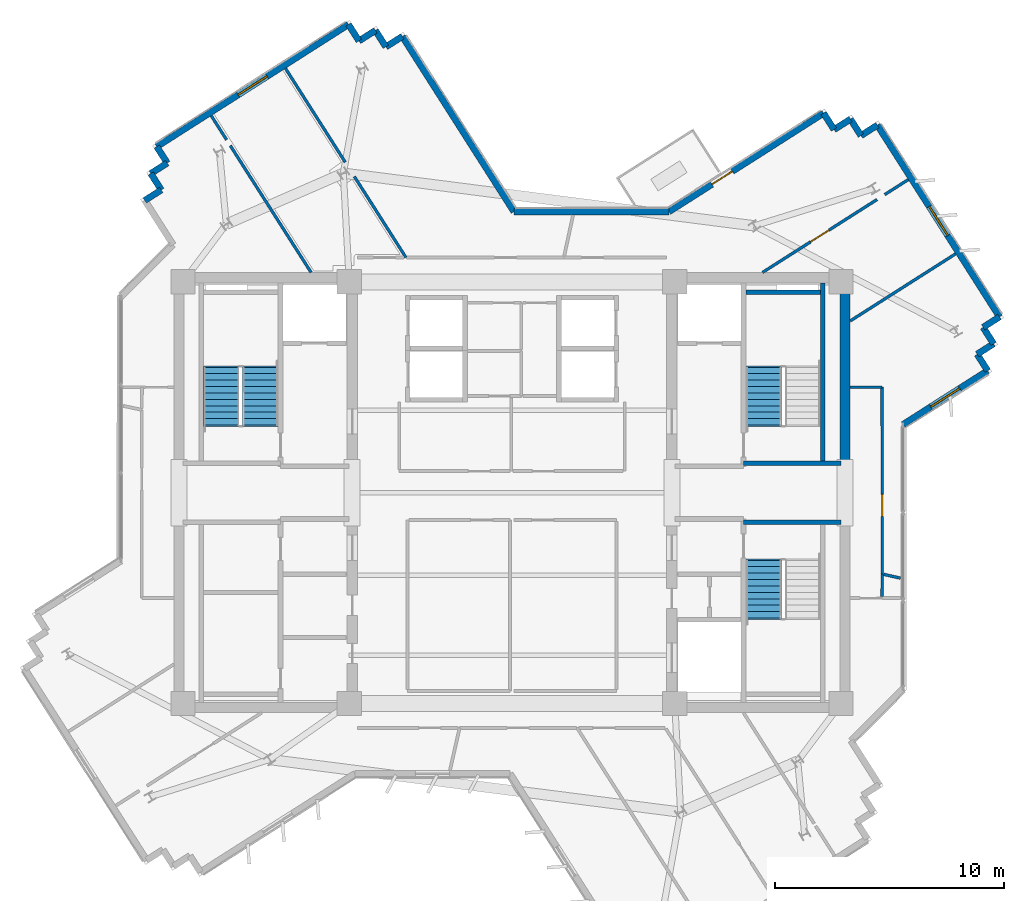
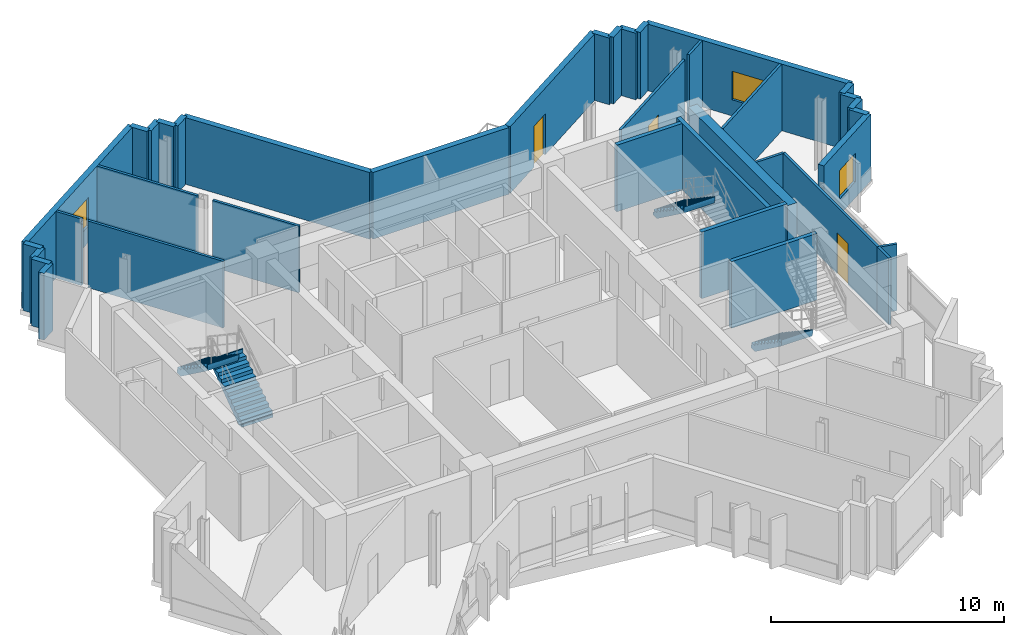
# One storey, part 8 of 12: 38 walls, 4 stair flights, 3 doors, 3 windows, 6 openings, 3 elements without a shape of their own.
"""IFC4 building model written with IfcOpenShell, lengths in metres."""

from ifc_helpers import new_model, si_unit, direction, frame, frame_2d, origin, place, context, subcontext, project, spatial, polyline, rectangle, outline, extrude, source, transform, mapped, material, layer, layer_set, type_object, element, fill, aggregate, save


model = new_model("IFC4")

# Units and contexts
model_context = context("Model", 3, precision=1e-05, world=origin(), true_north=direction((0.0, 1.0)))
body_context = subcontext(model_context, "Body", "Model", "MODEL_VIEW")
ifc_project = project(units=[si_unit("LENGTHUNIT", "METRE"), si_unit("AREAUNIT", "SQUARE_METRE"), si_unit("VOLUMEUNIT", "CUBIC_METRE"), si_unit("PLANEANGLEUNIT", "RADIAN"), si_unit("MASSUNIT", "GRAM", prefix="KILO")], contexts=[model_context])

# Site, building, storey
site_placement = place(None, origin())
site = spatial("IfcSite", under=ifc_project, at=site_placement, CompositionType="ELEMENT")
building_placement = place(site_placement, origin())
building = spatial("IfcBuilding", under=site, at=building_placement, Name="Zahravan Cultural Tower", CompositionType="ELEMENT")
storey_placement = place(building_placement, frame((0.0, 0.0, 269.10009765625)))
storey = spatial("IfcBuildingStorey", under=building, at=storey_placement, Name="L64", CompositionType="ELEMENT", Elevation=269.10009765625)

# Wall, opening, door
ifc_material_1 = material(Name="Precast concrete C40/50", Category="concrete")
ifc_layer_1 = layer(ifc_material_1, 0.280029296875)
ifc_layer_set_1 = layer_set([ifc_layer_1], Name="Precast concrete C40/50")
wall_type_1 = type_object("IfcWallType", Name="EW-TC-280", PredefinedType="SOLIDWALL", material=ifc_layer_set_1)
wall_1_placement = place(storey_placement, frame((42.84912109375, 39.260009765625, 0.0), z_axis=(0.0, 0.0, 1.0), x_axis=(0.843388565396, 0.537304129669, 0.0)))
wall_1 = element("IfcWall", 1, at=wall_1_placement, inside=storey, type_object=wall_type_1, Name="L64 Exterior Masonry Frame Wall 01", PredefinedType="SOLIDWALL", context=body_context, shape_type="SweptSolid", body=[
    extrude(rectangle(XDim=7.99609375, YDim=0.280029296875, at=frame_2d((3.998046875, 0.0))), origin(), (0.0, 0.0, 1.0), 3.5),
])
opening_1_placement = place(wall_1_placement, frame((2.222900390625, 0.0, 0.0)))
opening_1 = element("IfcOpeningElement", 2, at=opening_1_placement, cuts=wall_1, Name="Opening D-L64-TR-NE", PredefinedType="OPENING", context=body_context, shape_type="SweptSolid", body=[
    extrude(rectangle(XDim=1.050048828125, YDim=2.14990234375, at=frame_2d((0.52490234375, 1.074951171875))), frame((0.0, 0.14990234375, 0.0), z_axis=(0.0, -1.0, 0.0), x_axis=(1.0, 0.0, 0.0)), (0.0, 0.0, 1.0), 0.300048828125),
])
ifc_material_2 = material(Name="Anodised bronze-aluminium mullion", Category="aluminium")
door_type_1 = type_object("IfcDoorType", Name="DR-TERR-1050", OperationType="NOTDEFINED", PredefinedType="DOOR", material=ifc_material_2)
shared_shape_1 = source(origin(), body_context, "Body", "SweptSolid", [
    extrude(rectangle(XDim=1.050048828125, YDim=2.14990234375, at=frame_2d((0.52490234375, 1.074951171875))), frame((0.0, 0.02490234375, 0.0), z_axis=(0.0, -1.0, 0.0), x_axis=(1.0, 0.0, 0.0)), (0.0, 0.0, 1.0), 0.050048828125),
])
door_1_placement = place(opening_1_placement, origin())
door_1 = element("IfcDoor", 3, at=door_1_placement, inside=storey, type_object=door_type_1, Name="L64 Terrace Access Door NE", OperationType="SINGLE_SWING_LEFT", OverallHeight=2.14990234375, OverallWidth=1.050048828125, PredefinedType="DOOR", context=body_context, shape_type="MappedRepresentation", body=[
    mapped(shared_shape_1, transform((0.0, 0.0, 0.0), x_axis=(1.0, 0.0, 0.0), y_axis=(0.0, 1.0, 0.0), z_axis=(0.0, 0.0, 1.0), scale=1.0)),
])
fill(opening_1, door_1)

# Wall, opening, window
wall_2_placement = place(storey_placement, frame((51.940185546875, 43.035888671875, 0.0), z_axis=(0.0, 0.0, 1.0), x_axis=(0.537314949054, -0.843381672508, 0.0)))
wall_2 = element("IfcWall", 4, at=wall_2_placement, inside=storey, type_object=wall_type_1, Name="L64 Exterior Masonry Frame Wall 06", PredefinedType="SOLIDWALL", context=body_context, shape_type="SweptSolid", body=[
    extrude(rectangle(XDim=9.919921875, YDim=0.280029296875, at=frame_2d((4.9599609375, 0.0))), origin(), (0.0, 0.0, 1.0), 3.5),
])
opening_2_placement = place(wall_2_placement, frame((4.2099609375, 0.0, 0.85009765625)))
opening_2 = element("IfcOpeningElement", 5, at=opening_2_placement, cuts=wall_2, Name="Opening WN-03", PredefinedType="OPENING", context=body_context, shape_type="SweptSolid", body=[
    extrude(rectangle(XDim=1.5, YDim=1.5, at=frame_2d((0.75, 0.75))), frame((0.0, 0.14990234375, 0.0), z_axis=(0.0, -1.0, 0.0), x_axis=(1.0, 0.0, 0.0)), (0.0, 0.0, 1.0), 0.300048828125),
])
ifc_material_3 = material(Name="Low-E solar-control double glazing", Category="glass")
window_type = type_object("IfcWindowType", Name="WN-REC-1500X1500", PartitioningType="SINGLE_PANEL", PredefinedType="WINDOW", material=ifc_material_3)
shared_shape_2 = source(origin(), body_context, "Body", "SweptSolid", [
    extrude(rectangle(XDim=1.5, YDim=1.5, at=frame_2d((0.75, 0.75))), frame((0.0, 0.030029296875, 0.0), z_axis=(0.0, -1.0, 0.0), x_axis=(1.0, 0.0, 0.0)), (0.0, 0.0, 1.0), 0.06005859375),
])
window_1_placement = place(opening_2_placement, origin())
window_1 = element("IfcWindow", 6, at=window_1_placement, inside=storey, type_object=window_type, Name="L64 Recessed Solar Window 01", OverallHeight=1.5, OverallWidth=1.5, PartitioningType="SINGLE_PANEL", PredefinedType="WINDOW", context=body_context, shape_type="MappedRepresentation", body=[
    mapped(shared_shape_2, transform((0.0, 0.0, 0.0), x_axis=(1.0, 0.0, 0.0), y_axis=(0.0, 1.0, 0.0), z_axis=(0.0, 0.0, 1.0), scale=1.0)),
])
fill(opening_2, window_1)

wall_3_placement = place(storey_placement, frame((56.75, 32.322509765625, 0.0), z_axis=(0.0, 0.0, 1.0), x_axis=(-0.843383352012, -0.537312312857, 0.0)))
wall_3 = element("IfcWall", 7, at=wall_3_placement, inside=storey, type_object=wall_type_1, Name="L64 Exterior Masonry Frame Wall 11", PredefinedType="SOLIDWALL", context=body_context, shape_type="SweptSolid", body=[
    extrude(rectangle(XDim=4.375244140625, YDim=0.280029296875, at=frame_2d((2.1875, 0.0))), origin(), (0.0, 0.0, 1.0), 3.5),
])
opening_3_placement = place(wall_3_placement, frame((1.43798828125, 0.0, 0.85009765625)))
opening_3 = element("IfcOpeningElement", 8, at=opening_3_placement, cuts=wall_3, Name="Opening WN-03", PredefinedType="OPENING", context=body_context, shape_type="SweptSolid", body=[
    extrude(rectangle(XDim=1.5, YDim=1.5, at=frame_2d((0.75, 0.75))), frame((0.0, 0.14990234375, 0.0), z_axis=(0.0, -1.0, 0.0), x_axis=(1.0, 0.0, 0.0)), (0.0, 0.0, 1.0), 0.300048828125),
])
window_2_placement = place(opening_3_placement, origin())
window_2 = element("IfcWindow", 9, at=window_2_placement, inside=storey, type_object=window_type, Name="L64 Recessed Solar Window 02", OverallHeight=1.5, OverallWidth=1.5, PartitioningType="SINGLE_PANEL", PredefinedType="WINDOW", context=body_context, shape_type="MappedRepresentation", body=[
    mapped(shared_shape_2, transform((0.0, 0.0, 0.0), x_axis=(1.0, 0.0, 0.0), y_axis=(0.0, 1.0, 0.0), z_axis=(0.0, 0.0, 1.0), scale=1.0)),
])
fill(opening_3, window_2)

wall_4_placement = place(storey_placement, frame((20.501220703125, 42.0966796875, 0.0), z_axis=(0.0, 0.0, 1.0), x_axis=(0.843388777764, 0.537303796322, 0.0)))
wall_4 = element("IfcWall", 10, at=wall_4_placement, inside=storey, type_object=wall_type_1, Name="L64 Exterior Masonry Frame Wall 42", PredefinedType="SOLIDWALL", context=body_context, shape_type="SweptSolid", body=[
    extrude(rectangle(XDim=9.920166015625, YDim=0.280029296875, at=frame_2d((4.9599609375, 0.0))), origin(), (0.0, 0.0, 1.0), 3.5),
])
opening_4_placement = place(wall_4_placement, frame((4.2099609375, 0.0, 0.85009765625)))
opening_4 = element("IfcOpeningElement", 11, at=opening_4_placement, cuts=wall_4, Name="Opening WN-03", PredefinedType="OPENING", context=body_context, shape_type="SweptSolid", body=[
    extrude(rectangle(XDim=1.5, YDim=1.5, at=frame_2d((0.75, 0.75))), frame((0.0, 0.14990234375, 0.0), z_axis=(0.0, -1.0, 0.0), x_axis=(1.0, 0.0, 0.0)), (0.0, 0.0, 1.0), 0.300048828125),
])
window_3_placement = place(opening_4_placement, origin())
window_3 = element("IfcWindow", 12, at=window_3_placement, inside=storey, type_object=window_type, Name="L64 Recessed Solar Window 08", OverallHeight=1.5, OverallWidth=1.5, PartitioningType="SINGLE_PANEL", PredefinedType="WINDOW", context=body_context, shape_type="MappedRepresentation", body=[
    mapped(shared_shape_2, transform((0.0, 0.0, 0.0), x_axis=(1.0, 0.0, 0.0), y_axis=(0.0, 1.0, 0.0), z_axis=(0.0, 0.0, 1.0), scale=1.0)),
])
fill(opening_4, window_3)

# Wall, opening, door
ifc_material_4 = material(Name="Gypsum plasterboard partition")
ifc_layer_2 = layer(ifc_material_4, 0.125)
ifc_layer_set_2 = layer_set([ifc_layer_2], Name="Gypsum plasterboard partition")
wall_type_2 = type_object("IfcWallType", Name="W-PART-125", PredefinedType="PARTITIONING", material=ifc_layer_set_2)
wall_5_placement = place(storey_placement, frame((46.926513671875, 36.60498046875, 0.0), z_axis=(0.0, 0.0, 1.0), x_axis=(0.843398332862, 0.537288797693, 0.0)))
wall_5 = element("IfcWall", 13, at=wall_5_placement, inside=storey, type_object=wall_type_2, Name="L64 Interior Wall 055", PredefinedType="PARTITIONING", context=body_context, shape_type="SweptSolid", body=[
    extrude(rectangle(XDim=5.923583984375, YDim=0.125, at=frame_2d((2.9619140625, 0.0))), origin(), (0.0, 0.0, 1.0), 3.5),
])
opening_5_placement = place(wall_5_placement, frame((2.48681640625, 0.0, 0.0)))
opening_5 = element("IfcOpeningElement", 14, at=opening_5_placement, cuts=wall_5, Name="Opening D-L64-31", PredefinedType="OPENING", context=body_context, shape_type="SweptSolid", body=[
    extrude(rectangle(XDim=0.949951171875, YDim=2.14990234375, at=frame_2d((0.47509765625, 1.074951171875))), frame((0.0, 0.072509765625, 0.0), z_axis=(0.0, -1.0, 0.0), x_axis=(1.0, 0.0, 0.0)), (0.0, 0.0, 1.0), 0.14501953125),
])
door_type_2 = type_object("IfcDoorType", Name="DR-ROOM-950", OperationType="NOTDEFINED", PredefinedType="DOOR", material=ifc_material_2)
shared_shape_3 = source(origin(), body_context, "Body", "SweptSolid", [
    extrude(rectangle(XDim=0.949951171875, YDim=2.14990234375, at=frame_2d((0.47509765625, 1.074951171875))), frame((0.0, 0.02490234375, 0.0), z_axis=(0.0, -1.0, 0.0), x_axis=(1.0, 0.0, 0.0)), (0.0, 0.0, 1.0), 0.050048828125),
])
door_2_placement = place(opening_5_placement, origin())
door_2 = element("IfcDoor", 15, at=door_2_placement, inside=storey, type_object=door_type_2, Name="L64 Door D-L64-31", OperationType="SINGLE_SWING_LEFT", OverallHeight=2.14990234375, OverallWidth=0.949951171875, PredefinedType="DOOR", context=body_context, shape_type="MappedRepresentation", body=[
    mapped(shared_shape_3, transform((0.0, 0.0, 0.0), x_axis=(1.0, 0.0, 0.0), y_axis=(0.0, 1.0, 0.0), z_axis=(0.0, 0.0, 1.0), scale=1.0)),
])
fill(opening_5, door_2)

wall_6_placement = place(storey_placement, frame((52.14990234375, 23.450927734375, 0.0), z_axis=(0.0, 0.0, 1.0), x_axis=(-0.000119850186, 0.999999992818, 0.0)))
wall_6 = element("IfcWall", 16, at=wall_6_placement, inside=storey, type_object=wall_type_2, Name="L64 Interior Wall 086", PredefinedType="PARTITIONING", context=body_context, shape_type="SweptSolid", body=[
    extrude(rectangle(XDim=8.148193359375, YDim=0.125, at=frame_2d((4.07421875, 0.0))), origin(), (0.0, 0.0, 1.0), 3.5),
])
opening_6_placement = place(wall_6_placement, frame((2.519287109375, 0.0, 0.0)))
opening_6 = element("IfcOpeningElement", 17, at=opening_6_placement, cuts=wall_6, Name="Opening D-L64-20", PredefinedType="OPENING", context=body_context, shape_type="SweptSolid", body=[
    extrude(rectangle(XDim=0.949951171875, YDim=2.14990234375, at=frame_2d((0.47509765625, 1.074951171875))), frame((0.0, 0.072509765625, 0.0), z_axis=(0.0, -1.0, 0.0), x_axis=(1.0, 0.0, 0.0)), (0.0, 0.0, 1.0), 0.14501953125),
])
door_3_placement = place(opening_6_placement, origin())
door_3 = element("IfcDoor", 18, at=door_3_placement, inside=storey, type_object=door_type_2, Name="L64 Door D-L64-20", OperationType="SINGLE_SWING_RIGHT", OverallHeight=2.14990234375, OverallWidth=0.949951171875, PredefinedType="DOOR", context=body_context, shape_type="MappedRepresentation", body=[
    mapped(shared_shape_3, transform((0.0, 0.0, 0.0), x_axis=(1.0, 0.0, 0.0), y_axis=(0.0, 1.0, 0.0), z_axis=(0.0, 0.0, 1.0), scale=1.0)),
])
fill(opening_6, door_3)

# Walls
ifc_material_5 = material(Name="Concrete C50/60", Category="concrete")
ifc_layer_3 = layer(ifc_material_5, 0.449951171875)
ifc_layer_set_3 = layer_set([ifc_layer_3], Name="Concrete C50/60")
wall_type_3 = type_object("IfcWallType", Name="CW-SHEAR-450-C50", PredefinedType="SHEAR", material=ifc_layer_set_3)
shared_shape_4 = source(origin(), body_context, "Body", "SweptSolid", [
    extrude(rectangle(XDim=8.550048828125, YDim=0.449951171875, at=frame_2d((4.27490234375, 0.0))), origin(), (0.0, 0.0, 1.0), 3.5),
])
wall_7_placement = place(storey_placement, frame((50.52490234375, 28.050048828125, 0.0), z_axis=(0.0, 0.0, 1.0), x_axis=(0.0, 1.0, 0.0)))
element("IfcWall", 19, at=wall_7_placement, inside=storey, type_object=wall_type_3, Name="L64 Core Shear Wall CW-E-EN-L64", PredefinedType="SHEAR", context=body_context, shape_type="MappedRepresentation", body=[
    mapped(shared_shape_4, transform((0.0, 0.0, 0.0), x_axis=(1.0, 0.0, 0.0), y_axis=(0.0, 1.0, 0.0), z_axis=(0.0, 0.0, 1.0), scale=1.0)),
])
shared_shape_5 = source(origin(), body_context, "Body", "SweptSolid", [
    extrude(rectangle(XDim=0.85009765625, YDim=0.280029296875, at=frame_2d((0.425048828125, 0.0))), origin(), (0.0, 0.0, 1.0), 3.5),
])
for number, where, z_axis, x_axis, name in (
    (20, (57.270263671875, 34.669677734375, 0.0), (0.0, 0.0, 1.0), (-0.843401251716, -0.537284215853, 0.0), "L64 Exterior Masonry Frame Wall 07"),
    (21, (29.32421875, 46.7099609375, 0.0), (0.0, 0.0, 1.0), (0.843531374408, 0.537079901308, 0.0), "L64 Exterior Masonry Frame Wall 44"),
):
    element("IfcWall", number, at=place(storey_placement, frame(where, z_axis=z_axis, x_axis=x_axis)), inside=storey, type_object=wall_type_1, Name=name, PredefinedType="SOLIDWALL", context=body_context, shape_type="MappedRepresentation", body=[
        mapped(shared_shape_5, transform((0.0, 0.0, 0.0), x_axis=(1.0, 0.0, 0.0), y_axis=(0.0, 1.0, 0.0), z_axis=(0.0, 0.0, 1.0), scale=1.0)),
    ])
shared_shape_6 = source(origin(), body_context, "Body", "SweptSolid", [
    extrude(rectangle(XDim=0.849853515625, YDim=0.280029296875, at=frame_2d((0.4248046875, 0.0))), origin(), (0.0, 0.0, 1.0), 3.5),
])
for number, where, z_axis, x_axis, name in (
    (22, (49.593017578125, 43.556396484375, 0.0), (0.0, 0.0, 1.0), (0.537414368337, -0.843318324659, 0.0), "L64 Exterior Masonry Frame Wall 02"),
    (23, (50.0498046875, 42.839599609375, 0.0), (0.0, 0.0, 1.0), (0.843448497615, 0.537210044462, 0.0), "L64 Exterior Masonry Frame Wall 03"),
    (24, (50.7666015625, 43.296142578125, 0.0), (0.0, 0.0, 1.0), (0.537414368337, -0.843318324659, 0.0), "L64 Exterior Masonry Frame Wall 04"),
    (25, (51.223388671875, 42.579345703125, 0.0), (0.0, 0.0, 1.0), (0.843448497615, 0.537210044462, 0.0), "L64 Exterior Masonry Frame Wall 05"),
    (26, (56.55322265625, 34.212890625, 0.0), (0.0, 0.0, 1.0), (0.537414368337, -0.843318324659, 0.0), "L64 Exterior Masonry Frame Wall 08"),
    (27, (57.010009765625, 33.49609375, 0.0), (0.0, 0.0, 1.0), (-0.843318324659, -0.537414368337, 0.0), "L64 Exterior Masonry Frame Wall 09"),
    (28, (56.293212890625, 33.039306640625, 0.0), (0.0, 0.0, 1.0), (0.537414368337, -0.843318324659, 0.0), "L64 Exterior Masonry Frame Wall 10"),
    (29, (19.98095703125, 39.74951171875, 0.0), (0.0, 0.0, 1.0), (0.843318324659, 0.537414368337, 0.0), "L64 Exterior Masonry Frame Wall 38"),
    (30, (20.69775390625, 40.206298828125, 0.0), (0.0, 0.0, 1.0), (-0.537210044462, 0.843448497615, 0.0), "L64 Exterior Masonry Frame Wall 39"),
    (31, (20.2412109375, 40.923095703125, 0.0), (0.0, 0.0, 1.0), (0.843318324659, 0.537414368337, 0.0), "L64 Exterior Masonry Frame Wall 40"),
    (32, (20.9580078125, 41.3798828125, 0.0), (0.0, 0.0, 1.0), (-0.537414368337, 0.843318324659, 0.0), "L64 Exterior Masonry Frame Wall 41"),
    (33, (28.86767578125, 47.4267578125, 0.0), (0.0, 0.0, 1.0), (0.537210044462, -0.843448497615, 0.0), "L64 Exterior Masonry Frame Wall 43"),
    (34, (30.041259765625, 47.16650390625, 0.0), (0.0, 0.0, 1.0), (0.537414368337, -0.843318324659, 0.0), "L64 Exterior Masonry Frame Wall 45"),
    (35, (30.498046875, 46.44970703125, 0.0), (0.0, 0.0, 1.0), (0.843318324659, 0.537414368337, 0.0), "L64 Exterior Masonry Frame Wall 46"),
):
    element("IfcWall", number, at=place(storey_placement, frame(where, z_axis=z_axis, x_axis=x_axis)), inside=storey, type_object=wall_type_1, Name=name, PredefinedType="SOLIDWALL", context=body_context, shape_type="MappedRepresentation", body=[
        mapped(shared_shape_6, transform((0.0, 0.0, 0.0), x_axis=(1.0, 0.0, 0.0), y_axis=(0.0, 1.0, 0.0), z_axis=(0.0, 0.0, 1.0), scale=1.0)),
    ])
shared_shape_7 = source(origin(), body_context, "Body", "SweptSolid", [
    extrude(rectangle(XDim=9.06640625, YDim=0.280029296875, at=frame_2d((4.533203125, 0.0))), origin(), (0.0, 0.0, 1.0), 3.5),
])
wall_8_placement = place(storey_placement, frame((31.21484375, 46.906494140625, 0.0), z_axis=(0.0, 0.0, 1.0), x_axis=(0.537298831286, -0.843391940855, 0.0)))
element("IfcWall", 36, at=wall_8_placement, inside=storey, type_object=wall_type_1, Name="L64 Exterior Masonry Frame Wall 47", PredefinedType="SOLIDWALL", context=body_context, shape_type="MappedRepresentation", body=[
    mapped(shared_shape_7, transform((0.0, 0.0, 0.0), x_axis=(1.0, 0.0, 0.0), y_axis=(0.0, 1.0, 0.0), z_axis=(0.0, 0.0, 1.0), scale=1.0)),
])
shared_shape_8 = source(origin(), body_context, "Body", "SweptSolid", [
    extrude(rectangle(XDim=6.762939453125, YDim=0.280029296875, at=frame_2d((3.38134765625, 0.0))), origin(), (0.0, 0.0, 1.0), 3.5),
])
wall_9_placement = place(storey_placement, frame((36.086181640625, 39.260009765625, 0.0), z_axis=(0.0, 0.0, 1.0), x_axis=(1.0, 0.0, 0.0)))
element("IfcWall", 37, at=wall_9_placement, inside=storey, type_object=wall_type_1, Name="L64 Exterior Masonry Frame Wall 48", PredefinedType="SOLIDWALL", context=body_context, shape_type="MappedRepresentation", body=[
    mapped(shared_shape_8, transform((0.0, 0.0, 0.0), x_axis=(1.0, 0.0, 0.0), y_axis=(0.0, 1.0, 0.0), z_axis=(0.0, 0.0, 1.0), scale=1.0)),
])
ifc_material_6 = material(Name="Concrete C45/55", Category="concrete")
ifc_layer_4 = layer(ifc_material_6, 0.199951171875)
ifc_layer_set_4 = layer_set([ifc_layer_4], Name="Concrete C45/55")
wall_type_4 = type_object("IfcWallType", Name="W-SHAFT-200", PredefinedType="SOLIDWALL", material=ifc_layer_set_4)
shared_shape_9 = source(origin(), body_context, "Body", "SweptSolid", [
    extrude(rectangle(XDim=7.869873046875, YDim=0.199951171875, at=frame_2d((3.93505859375, 0.0))), origin(), (0.0, 0.0, 1.0), 3.5),
])
wall_10_placement = place(storey_placement, frame((49.550048828125, 28.280029296875, 0.0), z_axis=(0.0, 0.0, 1.0), x_axis=(0.0, 1.0, 0.0)))
element("IfcWall", 38, at=wall_10_placement, inside=storey, type_object=wall_type_4, Name="L64 Interior Wall 004", PredefinedType="SOLIDWALL", context=body_context, shape_type="MappedRepresentation", body=[
    mapped(shared_shape_9, transform((0.0, 0.0, 0.0), x_axis=(1.0, 0.0, 0.0), y_axis=(0.0, 1.0, 0.0), z_axis=(0.0, 0.0, 1.0), scale=1.0)),
])
shared_shape_10 = source(origin(), body_context, "Body", "SweptSolid", [
    extrude(rectangle(XDim=4.25, YDim=0.199951171875, at=frame_2d((2.125, 0.0))), origin(), (0.0, 0.0, 1.0), 3.5),
])
for number, where, z_axis, x_axis, name in (
    (39, (46.10009765625, 25.715087890625, 0.0), (0.0, 0.0, 1.0), (1.0, 0.0, 0.0), "L64 Interior Wall 014"),
    (40, (46.10009765625, 28.284912109375, 0.0), (0.0, 0.0, 1.0), (1.0, 0.0, 0.0), "L64 Interior Wall 016"),
):
    element("IfcWall", number, at=place(storey_placement, frame(where, z_axis=z_axis, x_axis=x_axis)), inside=storey, type_object=wall_type_4, Name=name, PredefinedType="SOLIDWALL", context=body_context, shape_type="MappedRepresentation", body=[
        mapped(shared_shape_10, transform((0.0, 0.0, 0.0), x_axis=(1.0, 0.0, 0.0), y_axis=(0.0, 1.0, 0.0), z_axis=(0.0, 0.0, 1.0), scale=1.0)),
    ])
shared_shape_11 = source(origin(), body_context, "Body", "SweptSolid", [
    extrude(rectangle(XDim=3.25, YDim=0.199951171875, at=frame_2d((1.625, 0.0))), origin(), (0.0, 0.0, 1.0), 3.5),
])
wall_11_placement = place(storey_placement, frame((46.199951171875, 35.75, 0.0), z_axis=(0.0, 0.0, 1.0), x_axis=(1.0, 0.0, 0.0)))
element("IfcWall", 41, at=wall_11_placement, inside=storey, type_object=wall_type_4, Name="L64 Interior Wall 018", PredefinedType="SOLIDWALL", context=body_context, shape_type="MappedRepresentation", body=[
    mapped(shared_shape_11, transform((0.0, 0.0, 0.0), x_axis=(1.0, 0.0, 0.0), y_axis=(0.0, 1.0, 0.0), z_axis=(0.0, 0.0, 1.0), scale=1.0)),
])
shared_shape_12 = source(origin(), body_context, "Body", "SweptSolid", [
    extrude(rectangle(XDim=1.214599609375, YDim=0.125, at=frame_2d((0.607421875, 0.0))), origin(), (0.0, 0.0, 1.0), 3.5),
])
wall_12_placement = place(storey_placement, frame((52.26025390625, 40.0029296875, 0.0), z_axis=(0.0, 0.0, 1.0), x_axis=(0.84340481812, 0.537278617453, 0.0)))
element("IfcWall", 42, at=wall_12_placement, inside=storey, type_object=wall_type_2, Name="L64 Interior Wall 056", PredefinedType="PARTITIONING", context=body_context, shape_type="MappedRepresentation", body=[
    mapped(shared_shape_12, transform((0.0, 0.0, 0.0), x_axis=(1.0, 0.0, 0.0), y_axis=(0.0, 1.0, 0.0), z_axis=(0.0, 0.0, 1.0), scale=1.0)),
])
shared_shape_13 = source(origin(), body_context, "Body", "SweptSolid", [
    extrude(rectangle(XDim=5.44580078125, YDim=0.125, at=frame_2d((2.722900390625, 0.0))), origin(), (0.0, 0.0, 1.0), 3.5),
])
wall_13_placement = place(storey_placement, frame((55.347900390625, 37.4169921875, 0.0), z_axis=(0.0, 0.0, 1.0), x_axis=(-0.843395566027, -0.537293140851, 0.0)))
element("IfcWall", 43, at=wall_13_placement, inside=storey, type_object=wall_type_2, Name="L64 Interior Wall 057", PredefinedType="PARTITIONING", context=body_context, shape_type="MappedRepresentation", body=[
    mapped(shared_shape_13, transform((0.0, 0.0, 0.0), x_axis=(1.0, 0.0, 0.0), y_axis=(0.0, 1.0, 0.0), z_axis=(0.0, 0.0, 1.0), scale=1.0)),
])
shared_shape_14 = source(origin(), body_context, "Body", "SweptSolid", [
    extrude(rectangle(XDim=0.981201171875, YDim=0.125, at=frame_2d((0.49072265625, 0.0))), origin(), (0.0, 0.0, 1.0), 3.5),
])
wall_14_placement = place(storey_placement, frame((52.148681640625, 22.4697265625, 0.0), z_axis=(0.0, 0.0, 1.0), x_axis=(0.001244089607, 0.99999922612, 0.0)))
element("IfcWall", 44, at=wall_14_placement, inside=storey, type_object=wall_type_2, Name="L64 Interior Wall 067", PredefinedType="PARTITIONING", context=body_context, shape_type="MappedRepresentation", body=[
    mapped(shared_shape_14, transform((0.0, 0.0, 0.0), x_axis=(1.0, 0.0, 0.0), y_axis=(0.0, 1.0, 0.0), z_axis=(0.0, 0.0, 1.0), scale=1.0)),
])
shared_shape_15 = source(origin(), body_context, "Body", "SweptSolid", [
    extrude(rectangle(XDim=0.745849609375, YDim=0.125, at=frame_2d((0.373046875, 0.0))), origin(), (0.0, 0.0, 1.0), 3.5),
])
wall_15_placement = place(storey_placement, frame((52.217529296875, 23.435791015625, 0.0), z_axis=(0.0, 0.0, 1.0), x_axis=(0.975574688732, -0.219667991993, 0.0)))
element("IfcWall", 45, at=wall_15_placement, inside=storey, type_object=wall_type_2, Name="L64 Interior Wall 068", PredefinedType="PARTITIONING", context=body_context, shape_type="MappedRepresentation", body=[
    mapped(shared_shape_15, transform((0.0, 0.0, 0.0), x_axis=(1.0, 0.0, 0.0), y_axis=(0.0, 1.0, 0.0), z_axis=(0.0, 0.0, 1.0), scale=1.0)),
])
shared_shape_16 = source(origin(), body_context, "Body", "SweptSolid", [
    extrude(rectangle(XDim=4.1875, YDim=0.125, at=frame_2d((2.09375, 0.0))), origin(), (0.0, 0.0, 1.0), 3.5),
])
wall_16_placement = place(storey_placement, frame((29.122802734375, 40.791748046875, 0.0), z_axis=(0.0, 0.0, 1.0), x_axis=(0.537264008944, -0.843414124078, 0.0)))
element("IfcWall", 46, at=wall_16_placement, inside=storey, type_object=wall_type_2, Name="L64 Interior Wall 076", PredefinedType="PARTITIONING", context=body_context, shape_type="MappedRepresentation", body=[
    mapped(shared_shape_16, transform((0.0, 0.0, 0.0), x_axis=(1.0, 0.0, 0.0), y_axis=(0.0, 1.0, 0.0), z_axis=(0.0, 0.0, 1.0), scale=1.0)),
])
shared_shape_17 = source(origin(), body_context, "Body", "SweptSolid", [
    extrude(rectangle(XDim=6.559814453125, YDim=0.125, at=frame_2d((3.27978515625, 0.0))), origin(), (0.0, 0.0, 1.0), 3.5),
])
wall_17_placement = place(storey_placement, frame((27.23681640625, 36.60498046875, 0.0), z_axis=(0.0, 0.0, 1.0), x_axis=(-0.537282422054, 0.843402394443, 0.0)))
element("IfcWall", 47, at=wall_17_placement, inside=storey, type_object=wall_type_2, Name="L64 Interior Wall 078", PredefinedType="PARTITIONING", context=body_context, shape_type="MappedRepresentation", body=[
    mapped(shared_shape_17, transform((0.0, 0.0, 0.0), x_axis=(1.0, 0.0, 0.0), y_axis=(0.0, 1.0, 0.0), z_axis=(0.0, 0.0, 1.0), scale=1.0)),
])
shared_shape_18 = source(origin(), body_context, "Body", "SweptSolid", [
    extrude(rectangle(XDim=1.241455078125, YDim=0.125, at=frame_2d((0.62060546875, 0.0))), origin(), (0.0, 0.0, 1.0), 3.5),
])
wall_18_placement = place(storey_placement, frame((23.548583984375, 42.394287109375, 0.0), z_axis=(0.0, 0.0, 1.0), x_axis=(-0.537244446477, 0.843426585264, 0.0)))
element("IfcWall", 48, at=wall_18_placement, inside=storey, type_object=wall_type_2, Name="L64 Interior Wall 079", PredefinedType="PARTITIONING", context=body_context, shape_type="MappedRepresentation", body=[
    mapped(shared_shape_18, transform((0.0, 0.0, 0.0), x_axis=(1.0, 0.0, 0.0), y_axis=(0.0, 1.0, 0.0), z_axis=(0.0, 0.0, 1.0), scale=1.0)),
])
shared_shape_19 = source(origin(), body_context, "Body", "SweptSolid", [
    extrude(rectangle(XDim=4.846435546875, YDim=0.125, at=frame_2d((2.42333984375, 0.0))), origin(), (0.0, 0.0, 1.0), 3.5),
])
wall_19_placement = place(storey_placement, frame((26.1201171875, 45.504638671875, 0.0), z_axis=(0.0, 0.0, 1.0), x_axis=(0.537305688893, -0.843387572047, 0.0)))
element("IfcWall", 49, at=wall_19_placement, inside=storey, type_object=wall_type_2, Name="L64 Interior Wall 080", PredefinedType="PARTITIONING", context=body_context, shape_type="MappedRepresentation", body=[
    mapped(shared_shape_19, transform((0.0, 0.0, 0.0), x_axis=(1.0, 0.0, 0.0), y_axis=(0.0, 1.0, 0.0), z_axis=(0.0, 0.0, 1.0), scale=1.0)),
])
shared_shape_20 = source(origin(), body_context, "Body", "SweptSolid", [
    extrude(rectangle(XDim=1.39404296875, YDim=0.125, at=frame_2d((0.697021484375, 0.0))), origin(), (0.0, 0.0, 1.0), 3.5),
])
wall_20_placement = place(storey_placement, frame((52.14892578125, 31.59912109375, 0.0), z_axis=(0.0, 0.0, 1.0), x_axis=(-0.999999754632, 0.000700525222, 0.0)))
element("IfcWall", 50, at=wall_20_placement, inside=storey, type_object=wall_type_2, Name="L64 Interior Wall 085", PredefinedType="PARTITIONING", context=body_context, shape_type="MappedRepresentation", body=[
    mapped(shared_shape_20, transform((0.0, 0.0, 0.0), x_axis=(1.0, 0.0, 0.0), y_axis=(0.0, 1.0, 0.0), z_axis=(0.0, 0.0, 1.0), scale=1.0)),
])

# Stair, stair flights
stair_type = type_object("IfcStairType", Name="STR-DL-1550-375", PredefinedType="HALF_TURN_STAIR", material=ifc_material_6)
stair_1_placement = place(storey_placement, origin())
stair_1 = element("IfcStair", 51, at=stair_1_placement, inside=storey, type_object=stair_type, Name="L64 West Core North Exit Stair ST-W1", PredefinedType="HALF_TURN_STAIR")
stair_flight_type = type_object("IfcStairFlightType", Name="FLG-DL-1550-375", PredefinedType="STRAIGHT", material=ifc_material_6)
stair_flight_1_placement = place(storey_placement, frame((25.02490234375, 29.949951171875, 0.0), z_axis=(0.0, 0.0, 1.0), x_axis=(0.0, 1.0, 0.0)))
stair_flight_1 = element("IfcStairFlight", 52, at=stair_flight_1_placement, type_object=stair_flight_type, Name="ST-W1 flight 1", NumberOfRisers=10, NumberOfTreads=9, PredefinedType="STRAIGHT", RiserHeight=0.1875, TreadLength=0.28, context=body_context, shape_type="SweptSolid", body=[
    extrude(outline(polyline([(-0.06494140625, -0.139892578125), (-0.06494140625, 0.0), (0.0, 0.0), (0.0, 0.1875), (0.280029296875, 0.1875), (0.280029296875, 0.375), (0.56005859375, 0.375), (0.56005859375, 0.5625), (0.840087890625, 0.5625), (0.840087890625, 0.75), (1.1201171875, 0.75), (1.1201171875, 0.9375), (1.39990234375, 0.9375), (1.39990234375, 1.125), (1.679931640625, 1.125), (1.679931640625, 1.3125), (1.9599609375, 1.3125), (1.9599609375, 1.5), (2.239990234375, 1.5), (2.239990234375, 1.6875), (2.52001953125, 1.6875), (2.52001953125, 1.875), (2.5849609375, 1.875), (2.5849609375, 1.72509765625), (2.52001953125, 1.507080078125), (0.26953125, -0.139892578125), (-0.06494140625, -0.139892578125)])), frame((0.0, 0.77490234375, 0.0), z_axis=(0.0, -1.0, 0.0), x_axis=(1.0, 0.0, 0.0)), (0.0, 0.0, 1.0), 1.550048828125),
])
stair_flight_2_placement = place(storey_placement, frame((23.324951171875, 32.469970703125, 1.875), z_axis=(0.0, 0.0, 1.0), x_axis=(0.0, -1.0, 0.0)))
stair_flight_2 = element("IfcStairFlight", 53, at=stair_flight_2_placement, type_object=stair_flight_type, Name="ST-W1 flight 2", NumberOfRisers=10, NumberOfTreads=9, PredefinedType="STRAIGHT", RiserHeight=0.1875, TreadLength=0.28, context=body_context, shape_type="SweptSolid", body=[
    extrude(outline(polyline([(-0.06494140625, -0.139892578125), (-0.06494140625, 0.0), (0.0, 0.0), (0.0, 0.1875), (0.280029296875, 0.1875), (0.280029296875, 0.375), (0.56005859375, 0.375), (0.56005859375, 0.5625), (0.840087890625, 0.5625), (0.840087890625, 0.75), (1.1201171875, 0.75), (1.1201171875, 0.9375), (1.39990234375, 0.9375), (1.39990234375, 1.125), (1.679931640625, 1.125), (1.679931640625, 1.3125), (1.9599609375, 1.3125), (1.9599609375, 1.5), (2.239990234375, 1.5), (2.239990234375, 1.6875), (2.52001953125, 1.6875), (2.52001953125, 1.875), (2.5849609375, 1.875), (2.5849609375, 1.72509765625), (2.52001953125, 1.507080078125), (0.26953125, -0.139892578125), (-0.06494140625, -0.139892578125)])), frame((0.0, 0.77490234375, 0.0), z_axis=(0.0, -1.0, 0.0), x_axis=(1.0, 0.0, 0.0)), (0.0, 0.0, 1.0), 1.550048828125),
])
aggregate(stair_1, [stair_flight_1, stair_flight_2])

# Stair, stair flight
stair_2_placement = place(storey_placement, origin())
stair_2 = element("IfcStair", 54, at=stair_2_placement, inside=storey, type_object=stair_type, Name="L64 East Core North Exit Stair ST-E1", PredefinedType="HALF_TURN_STAIR")
stair_flight_3_placement = place(storey_placement, frame((46.97509765625, 32.469970703125, 1.875), z_axis=(0.0, 0.0, 1.0), x_axis=(0.0, -1.0, 0.0)))
stair_flight_3 = element("IfcStairFlight", 55, at=stair_flight_3_placement, type_object=stair_flight_type, Name="ST-E1 flight 2", NumberOfRisers=10, NumberOfTreads=9, PredefinedType="STRAIGHT", RiserHeight=0.1875, TreadLength=0.28, context=body_context, shape_type="SweptSolid", body=[
    extrude(outline(polyline([(-0.06494140625, -0.139892578125), (-0.06494140625, 0.0), (0.0, 0.0), (0.0, 0.1875), (0.280029296875, 0.1875), (0.280029296875, 0.375), (0.56005859375, 0.375), (0.56005859375, 0.5625), (0.840087890625, 0.5625), (0.840087890625, 0.75), (1.1201171875, 0.75), (1.1201171875, 0.9375), (1.39990234375, 0.9375), (1.39990234375, 1.125), (1.679931640625, 1.125), (1.679931640625, 1.3125), (1.9599609375, 1.3125), (1.9599609375, 1.5), (2.239990234375, 1.5), (2.239990234375, 1.6875), (2.52001953125, 1.6875), (2.52001953125, 1.875), (2.5849609375, 1.875), (2.5849609375, 1.72509765625), (2.52001953125, 1.507080078125), (0.26953125, -0.139892578125), (-0.06494140625, -0.139892578125)])), frame((0.0, 0.77490234375, 0.0), z_axis=(0.0, -1.0, 0.0), x_axis=(1.0, 0.0, 0.0)), (0.0, 0.0, 1.0), 1.550048828125),
])
aggregate(stair_2, [stair_flight_3])

stair_3_placement = place(storey_placement, origin())
stair_3 = element("IfcStair", 56, at=stair_3_placement, inside=storey, type_object=stair_type, Name="L64 East Core South Exit Stair ST-E2", PredefinedType="HALF_TURN_STAIR")
stair_flight_4_placement = place(storey_placement, frame((46.97509765625, 24.050048828125, 0.0), z_axis=(0.0, 0.0, 1.0), x_axis=(0.0, -1.0, 0.0)))
stair_flight_4 = element("IfcStairFlight", 57, at=stair_flight_4_placement, type_object=stair_flight_type, Name="ST-E2 flight 1", NumberOfRisers=10, NumberOfTreads=9, PredefinedType="STRAIGHT", RiserHeight=0.1875, TreadLength=0.28, context=body_context, shape_type="SweptSolid", body=[
    extrude(outline(polyline([(-0.06494140625, -0.139892578125), (-0.06494140625, 0.0), (0.0, 0.0), (0.0, 0.1875), (0.280029296875, 0.1875), (0.280029296875, 0.375), (0.56005859375, 0.375), (0.56005859375, 0.5625), (0.840087890625, 0.5625), (0.840087890625, 0.75), (1.1201171875, 0.75), (1.1201171875, 0.9375), (1.39990234375, 0.9375), (1.39990234375, 1.125), (1.679931640625, 1.125), (1.679931640625, 1.3125), (1.9599609375, 1.3125), (1.9599609375, 1.5), (2.239990234375, 1.5), (2.239990234375, 1.6875), (2.52001953125, 1.6875), (2.52001953125, 1.875), (2.5849609375, 1.875), (2.5849609375, 1.72509765625), (2.52001953125, 1.507080078125), (0.26953125, -0.139892578125), (-0.06494140625, -0.139892578125)])), frame((0.0, 0.77490234375, 0.0), z_axis=(0.0, -1.0, 0.0), x_axis=(1.0, 0.0, 0.0)), (0.0, 0.0, 1.0), 1.550048828125),
])
aggregate(stair_3, [stair_flight_4])

save(model, "model.ifc")
